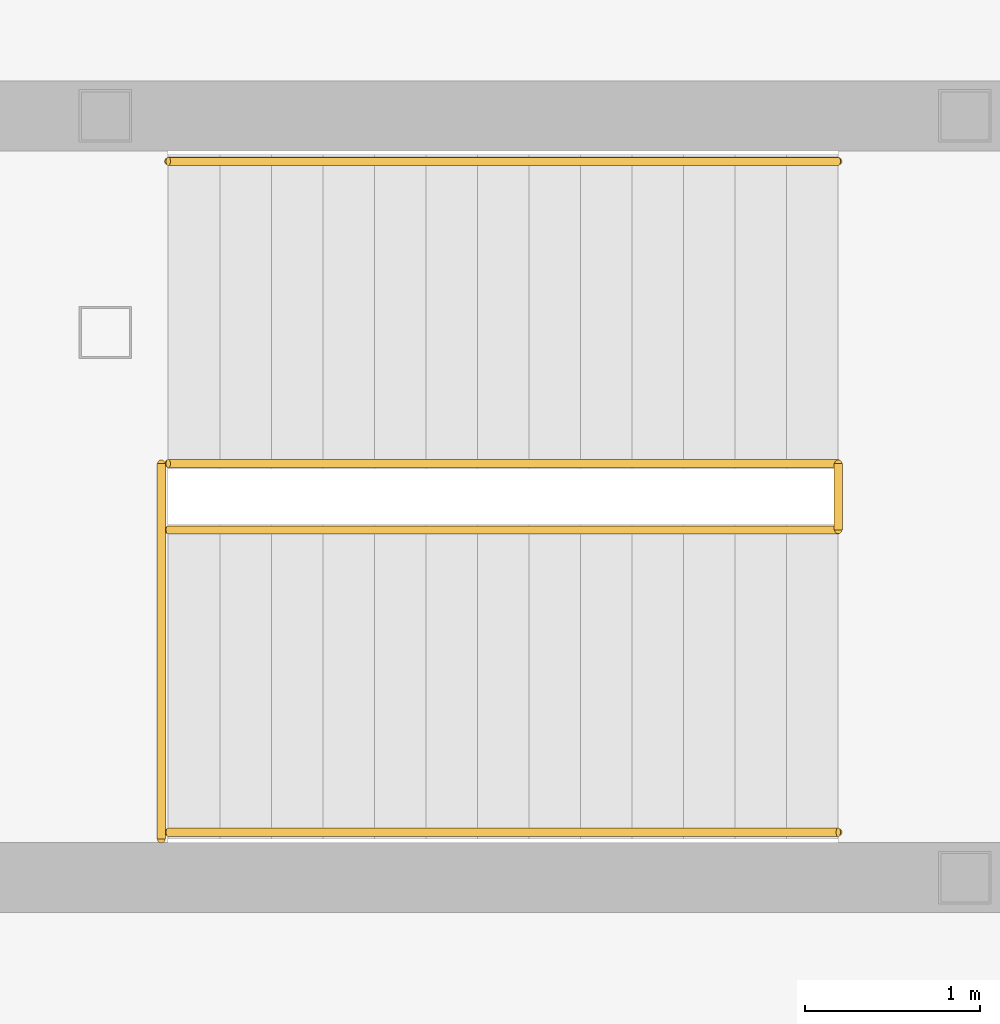
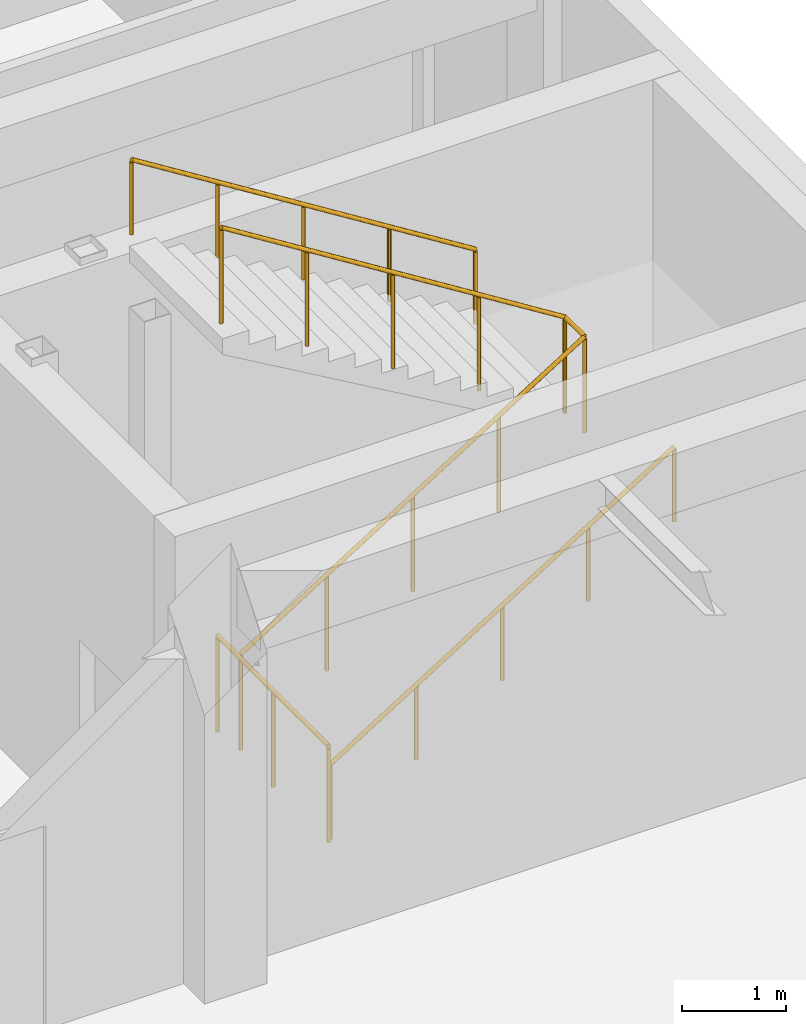
# One storey, part 74 of 76: 6 railings.
"""IFC4 building model written with IfcOpenShell, lengths in metres."""

from ifc_helpers import new_model, si_unit, direction, frame, origin, origin_2d, place, context, subcontext, project, spatial, circle, extrude, material, layer, layer_set, type_object, element, save


model = new_model("IFC4")

# Units and contexts
model_context = context("Model", 3, precision=1e-05, world=origin(), true_north=direction((0.0, 1.0)))
body_context = subcontext(model_context, "Body", "Model", "MODEL_VIEW")
ifc_project = project(units=[si_unit("LENGTHUNIT", "METRE"), si_unit("AREAUNIT", "SQUARE_METRE"), si_unit("VOLUMEUNIT", "CUBIC_METRE"), si_unit("PLANEANGLEUNIT", "RADIAN"), si_unit("MASSUNIT", "GRAM", prefix="KILO")], contexts=[model_context])

# Site, building, storey
site_placement = place(None, origin())
site = spatial("IfcSite", under=ifc_project, at=site_placement, CompositionType="ELEMENT")
building_placement = place(site_placement, origin())
building = spatial("IfcBuilding", under=site, at=building_placement, Name="Naruveol Harbour Congress Hotel", CompositionType="ELEMENT")
storey_placement = place(building_placement, frame((0.0, 0.0, 11.39990234375)))
storey = spatial("IfcBuildingStorey", under=building, at=storey_placement, Name="L02", CompositionType="ELEMENT", Elevation=11.39990234375)

# Railings
ifc_material_1 = material(Name="Stainless Steel 304", Category="steel")
ifc_layer_1 = layer(ifc_material_1, 0.0419921875)
ifc_layer_set_1 = layer_set([ifc_layer_1], Name="Stainless Steel 304")
railing_type_1 = type_object("IfcRailingType", Name="STAIR WALL MOUNTED HANDRAIL 900", PredefinedType="HANDRAIL", material=ifc_layer_set_1)
railing_1_placement = place(storey_placement, frame((119.699951171875, 57.4599609375, 0.0)))
element("IfcRailing", 1, at=railing_1_placement, inside=storey, type_object=railing_type_1, Name="Stair ST9 L02 lower wall handrail", PredefinedType="HANDRAIL", context=body_context, shape_type="SweptSolid", body=[
    extrude(circle(Radius=0.02392578125, at=origin_2d()), frame((0.0, 0.0, 0.8759765625), z_axis=(0.847670718537, 0.0, 0.530522716701), x_axis=(0.0, 1.0, 0.0)), (0.0, 0.0, 1.0), 4.524169921875),
    extrude(circle(Radius=0.02099609375, at=origin_2d()), origin(), (0.0, 0.0, 1.0), 0.851806640625),
    extrude(circle(Radius=0.02099609375, at=origin_2d()), frame((0.958740234375, 0.0, 0.60009765625)), (0.0, 0.0, 1.0), 0.851806640625),
    extrude(circle(Radius=0.02099609375, at=origin_2d()), frame((1.91748046875, 0.0, 1.2001953125)), (0.0, 0.0, 1.0), 0.851806640625),
    extrude(circle(Radius=0.02099609375, at=origin_2d()), frame((2.876220703125, 0.0, 1.800048828125)), (0.0, 0.0, 1.0), 0.851806640625),
    extrude(circle(Radius=0.02099609375, at=origin_2d()), frame((3.8349609375, 0.0, 2.400146484375)), (0.0, 0.0, 1.0), 0.851806640625),
])
railing_2_placement = place(storey_placement, frame((123.534912109375, 61.300048828125, 2.400146484375)))
element("IfcRailing", 2, at=railing_2_placement, inside=storey, type_object=railing_type_1, Name="Stair ST9 L02 upper wall handrail", PredefinedType="HANDRAIL", context=body_context, shape_type="SweptSolid", body=[
    extrude(circle(Radius=0.02392578125, at=origin_2d()), frame((0.0, 0.0, 0.8759765625), z_axis=(-0.847694986538, 0.0, 0.530483939246), x_axis=(0.0, -1.0, 0.0)), (0.0, 0.0, 1.0), 4.52392578125),
    extrude(circle(Radius=0.02099609375, at=origin_2d()), origin(), (0.0, 0.0, 1.0), 0.851806640625),
    extrude(circle(Radius=0.02099609375, at=origin_2d()), frame((-0.958740234375, 0.0, 0.60009765625)), (0.0, 0.0, 1.0), 0.851806640625),
    extrude(circle(Radius=0.02099609375, at=origin_2d()), frame((-1.91748046875, 0.0, 1.199951171875)), (0.0, 0.0, 1.0), 0.851806640625),
    extrude(circle(Radius=0.02099609375, at=origin_2d()), frame((-2.876220703125, 0.0, 1.7998046875)), (0.0, 0.0, 1.0), 0.851806640625),
    extrude(circle(Radius=0.02099609375, at=origin_2d()), frame((-3.8349609375, 0.0, 2.39990234375)), (0.0, 0.0, 1.0), 0.851806640625),
])
ifc_material_2 = material(Name="Steel SN490", Category="steel")
ifc_layer_2 = layer(ifc_material_2, 0.044921875)
ifc_layer_set_2 = layer_set([ifc_layer_2], Name="Steel SN490")
railing_type_2 = type_object("IfcRailingType", Name="STAIRWELL STEEL GUARDRAIL 1150", PredefinedType="GUARDRAIL", material=ifc_layer_set_2)
railing_3_placement = place(storey_placement, frame((119.699951171875, 59.18994140625, 0.0)))
element("IfcRailing", 3, at=railing_3_placement, inside=storey, type_object=railing_type_2, Name="Stair ST9 L02 lower well guard", PredefinedType="GUARDRAIL", context=body_context, shape_type="SweptSolid", body=[
    extrude(circle(Radius=0.02392578125, at=origin_2d()), frame((0.0, 0.0, 1.1259765625), z_axis=(0.847670718537, 0.0, 0.530522716701), x_axis=(0.0, 1.0, 0.0)), (0.0, 0.0, 1.0), 4.524169921875),
    extrude(circle(Radius=0.02099609375, at=origin_2d()), origin(), (0.0, 0.0, 1.0), 1.101806640625),
    extrude(circle(Radius=0.02099609375, at=origin_2d()), frame((0.958740234375, 0.0, 0.60009765625)), (0.0, 0.0, 1.0), 1.101806640625),
    extrude(circle(Radius=0.02099609375, at=origin_2d()), frame((1.91748046875, 0.0, 1.2001953125)), (0.0, 0.0, 1.0), 1.101806640625),
    extrude(circle(Radius=0.02099609375, at=origin_2d()), frame((2.876220703125, 0.0, 1.800048828125)), (0.0, 0.0, 1.0), 1.101806640625),
    extrude(circle(Radius=0.02099609375, at=origin_2d()), frame((3.8349609375, 0.0, 2.400146484375)), (0.0, 0.0, 1.0), 1.101806640625),
])
railing_4_placement = place(storey_placement, frame((123.534912109375, 59.18994140625, 2.400146484375)))
element("IfcRailing", 4, at=railing_4_placement, inside=storey, type_object=railing_type_2, Name="Stair ST9 L02 half-landing slot guard", PredefinedType="GUARDRAIL", context=body_context, shape_type="SweptSolid", body=[
    extrude(circle(Radius=0.02392578125, at=origin_2d()), frame((0.0, 0.0, 1.1259765625), z_axis=(0.0, 1.0, 0.0), x_axis=(-1.0, 0.0, 0.0)), (0.0, 0.0, 1.0), 0.380126953125),
    extrude(circle(Radius=0.02099609375, at=origin_2d()), origin(), (0.0, 0.0, 1.0), 1.101806640625),
    extrude(circle(Radius=0.02099609375, at=origin_2d()), frame((0.0, 0.380126953125, 0.0)), (0.0, 0.0, 1.0), 1.101806640625),
])
railing_5_placement = place(storey_placement, frame((123.534912109375, 59.570068359375, 2.400146484375)))
element("IfcRailing", 5, at=railing_5_placement, inside=storey, type_object=railing_type_2, Name="Stair ST9 L02 upper well guard", PredefinedType="GUARDRAIL", context=body_context, shape_type="SweptSolid", body=[
    extrude(circle(Radius=0.02392578125, at=origin_2d()), frame((0.0, 0.0, 1.1259765625), z_axis=(-0.847694986538, 0.0, 0.530483939246), x_axis=(0.0, -1.0, 0.0)), (0.0, 0.0, 1.0), 4.52392578125),
    extrude(circle(Radius=0.02099609375, at=origin_2d()), origin(), (0.0, 0.0, 1.0), 1.101806640625),
    extrude(circle(Radius=0.02099609375, at=origin_2d()), frame((-0.958740234375, 0.0, 0.60009765625)), (0.0, 0.0, 1.0), 1.101806640625),
    extrude(circle(Radius=0.02099609375, at=origin_2d()), frame((-1.91748046875, 0.0, 1.199951171875)), (0.0, 0.0, 1.0), 1.101806640625),
    extrude(circle(Radius=0.02099609375, at=origin_2d()), frame((-2.876220703125, 0.0, 1.7998046875)), (0.0, 0.0, 1.0), 1.101806640625),
    extrude(circle(Radius=0.02099609375, at=origin_2d()), frame((-3.8349609375, 0.0, 2.39990234375)), (0.0, 0.0, 1.0), 1.101806640625),
])
railing_6_placement = place(storey_placement, frame((119.659912109375, 57.419921875, 0.0)))
element("IfcRailing", 6, at=railing_6_placement, inside=storey, type_object=railing_type_2, Name="Stair ST9 L02 landing well guard", PredefinedType="GUARDRAIL", context=body_context, shape_type="SweptSolid", body=[
    extrude(circle(Radius=0.02392578125, at=origin_2d()), frame((0.0, 0.0, 1.1259765625), z_axis=(0.0, 1.0, 0.0), x_axis=(-1.0, 0.0, 0.0)), (0.0, 0.0, 1.0), 2.150146484375),
    extrude(circle(Radius=0.02099609375, at=origin_2d()), origin(), (0.0, 0.0, 1.0), 1.101806640625),
    extrude(circle(Radius=0.02099609375, at=origin_2d()), frame((0.0, 1.0751953125, 0.0)), (0.0, 0.0, 1.0), 1.101806640625),
    extrude(circle(Radius=0.02099609375, at=origin_2d()), frame((0.0, 2.150146484375, 0.0)), (0.0, 0.0, 1.0), 1.101806640625),
])

save(model, "model.ifc")
